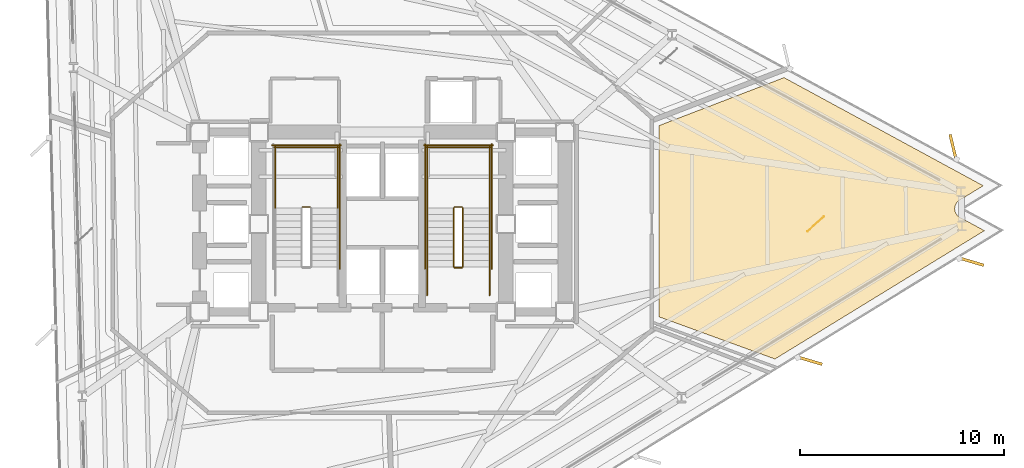
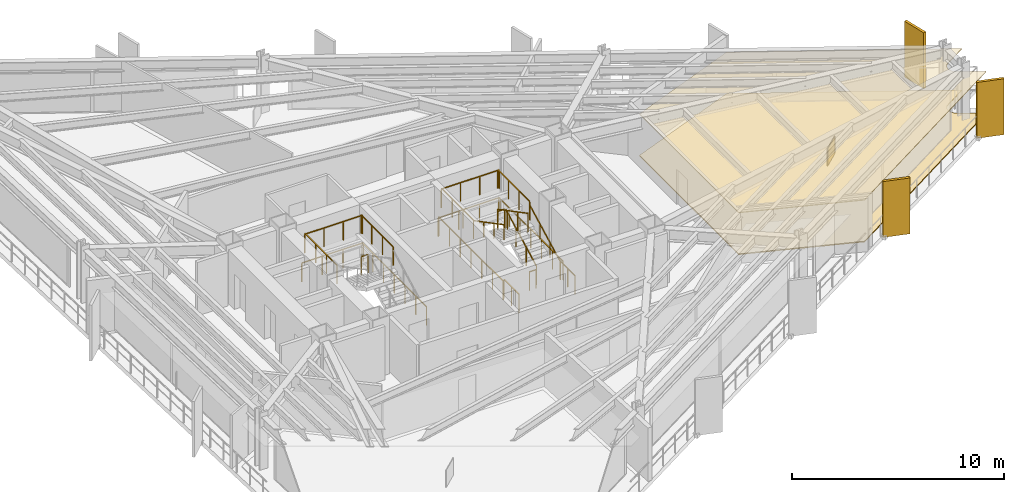
# One storey, part 13 of 14: 20 railings, 3 coverings, 3 shading devices.
"""IFC4 building model written with IfcOpenShell, lengths in metres."""

from ifc_helpers import new_model, si_unit, direction, frame, origin, origin_2d, place, context, subcontext, project, spatial, polyline, rectangle, outline, extrude, material, layer, layer_set, type_object, element, save


model = new_model("IFC4")

# Units and contexts
model_context = context("Model", 3, precision=1e-05, world=origin(), true_north=direction((0.0, 1.0)))
body_context = subcontext(model_context, "Body", "Model", "MODEL_VIEW")
ifc_project = project(units=[si_unit("LENGTHUNIT", "METRE"), si_unit("AREAUNIT", "SQUARE_METRE"), si_unit("VOLUMEUNIT", "CUBIC_METRE"), si_unit("PLANEANGLEUNIT", "RADIAN"), si_unit("MASSUNIT", "GRAM", prefix="KILO")], contexts=[model_context])

# Site, building, storey
site_placement = place(None, origin())
site = spatial("IfcSite", under=ifc_project, at=site_placement, CompositionType="ELEMENT")
building_placement = place(site_placement, origin())
building = spatial("IfcBuilding", under=site, at=building_placement, Name="Rocaltana Carrier Exchange", CompositionType="ELEMENT")
storey_placement = place(building_placement, frame((0.0, 0.0, 25.60009765625)))
storey = spatial("IfcBuildingStorey", under=building, at=storey_placement, Name="L08", CompositionType="ELEMENT", Elevation=25.60009765625)

# Coverings
ifc_material_1 = material(Name="Calcium Sulphate & Aluminium Pedestal", Category="aluminium")
ifc_layer_1 = layer(ifc_material_1, 0.06005859375)
ifc_layer_set_1 = layer_set([ifc_layer_1], Name="Calcium Sulphate & Aluminium Pedestal")
covering_type_1 = type_object("IfcCoveringType", Name="Anti-Static Raised Exchange Access Floor 60", PredefinedType="FLOORING", material=ifc_layer_set_1)
covering_1_placement = place(storey_placement, origin())
element("IfcCovering", 1, at=covering_1_placement, inside=storey, type_object=covering_type_1, Name="L08 Optical Switching Laboratory Finish Floor", PredefinedType="FLOORING", context=body_context, shape_type="SweptSolid", body=[
    extrude(outline(polyline([(29.427490234375, 1.87109375), (28.260498046875, 1.156005859375), (28.248779296875, 1.148193359375), (28.232421875, 1.136962890625), (28.210205078125, 1.1201171875), (28.19482421875, 1.107421875), (28.17431640625, 1.08837890625), (28.160400390625, 1.073974609375), (28.14208984375, 1.052978515625), (28.129638671875, 1.03759765625), (28.11328125, 1.014892578125), (28.1025390625, 0.998046875), (28.088623046875, 0.973876953125), (28.07958984375, 0.9560546875), (28.068115234375, 0.9306640625), (28.060791015625, 0.912109375), (28.052001953125, 0.885498046875), (28.046630859375, 0.866455078125), (28.04052734375, 0.839111328125), (28.037109375, 0.819580078125), (28.03369140625, 0.791748046875), (28.031982421875, 0.77197265625), (28.031494140625, 0.743896484375), (28.031982421875, 0.72412109375), (28.0341796875, 0.6962890625), (28.03662109375, 0.676513671875), (28.04150390625, 0.64892578125), (28.0458984375, 0.629638671875), (28.053466796875, 0.602783203125), (28.059814453125, 0.583740234375), (28.070068359375, 0.557861328125), (28.078369140625, 0.539794921875), (28.091064453125, 0.514892578125), (28.10107421875, 0.49755859375), (28.1162109375, 0.47412109375), (28.1279296875, 0.4580078125), (28.1455078125, 0.436279296875), (28.15869140625, 0.421142578125), (28.177978515625, 0.4013671875), (28.192626953125, 0.3876953125), (28.214111328125, 0.369873046875), (28.22998046875, 0.35791015625), (28.253173828125, 0.342041015625), (28.270263671875, 0.331787109375), (28.2822265625, 0.32470703125), (29.485107421875, -0.328369140625), (19.2265625, -6.61474609375), (13.56005859375, -4.55224609375), (13.56005859375, 4.819580078125), (19.674072265625, 7.16650390625), (29.427490234375, 1.87109375)])), origin(), (0.0, 0.0, 1.0), 0.059814453125),
])
ifc_material_2 = material(Name="Mineral Fibre & Powder-Coated Aluminium", Category="aluminium")
ifc_layer_2 = layer(ifc_material_2, 0.044921875)
ifc_layer_set_2 = layer_set([ifc_layer_2], Name="Mineral Fibre & Powder-Coated Aluminium")
covering_type_2 = type_object("IfcCoveringType", Name="Micro-Perforated Acoustic Ceiling 45", PredefinedType="CEILING", material=ifc_layer_set_2)
covering_2_placement = place(storey_placement, frame((0.0, 0.0, 2.40283203125)))
element("IfcCovering", 2, at=covering_2_placement, inside=storey, type_object=covering_type_2, Name="L08 Optical Switching Laboratory Acoustic Ceiling", PredefinedType="CEILING", context=body_context, shape_type="SweptSolid", body=[
    extrude(outline(polyline([(29.427490234375, 1.87109375), (28.260498046875, 1.156005859375), (28.248779296875, 1.148193359375), (28.232421875, 1.136962890625), (28.210205078125, 1.1201171875), (28.19482421875, 1.107421875), (28.17431640625, 1.08837890625), (28.160400390625, 1.073974609375), (28.14208984375, 1.052978515625), (28.129638671875, 1.03759765625), (28.11328125, 1.014892578125), (28.1025390625, 0.998046875), (28.088623046875, 0.973876953125), (28.07958984375, 0.9560546875), (28.068115234375, 0.9306640625), (28.060791015625, 0.912109375), (28.052001953125, 0.885498046875), (28.046630859375, 0.866455078125), (28.04052734375, 0.839111328125), (28.037109375, 0.819580078125), (28.03369140625, 0.791748046875), (28.031982421875, 0.77197265625), (28.031494140625, 0.743896484375), (28.031982421875, 0.72412109375), (28.0341796875, 0.6962890625), (28.03662109375, 0.676513671875), (28.04150390625, 0.64892578125), (28.0458984375, 0.629638671875), (28.053466796875, 0.602783203125), (28.059814453125, 0.583740234375), (28.070068359375, 0.557861328125), (28.078369140625, 0.539794921875), (28.091064453125, 0.514892578125), (28.10107421875, 0.49755859375), (28.1162109375, 0.47412109375), (28.1279296875, 0.4580078125), (28.1455078125, 0.436279296875), (28.15869140625, 0.421142578125), (28.177978515625, 0.4013671875), (28.192626953125, 0.3876953125), (28.214111328125, 0.369873046875), (28.22998046875, 0.35791015625), (28.253173828125, 0.342041015625), (28.270263671875, 0.331787109375), (28.2822265625, 0.32470703125), (29.485107421875, -0.328369140625), (19.2265625, -6.61474609375), (13.56005859375, -4.55224609375), (13.56005859375, 4.819580078125), (19.674072265625, 7.16650390625), (29.427490234375, 1.87109375)])), origin(), (0.0, 0.0, 1.0), 0.045166015625),
])

# Railings
ifc_material_3 = material(Name="Brushed Architectural Stainless Tube", Category="steel")
ifc_layer_3 = layer(ifc_material_3, 0.048095703125)
ifc_layer_set_3 = layer_set([ifc_layer_3], Name="Brushed Architectural Stainless Tube")
railing_type_1 = type_object("IfcRailingType", Name="Stair Wall Handrail 920", PredefinedType="HANDRAIL", material=ifc_layer_set_3)
railing_1_placement = place(storey_placement, frame((5.25, -2.10009765625, 0.16796875)))
element("IfcRailing", 3, at=railing_1_placement, inside=storey, type_object=railing_type_1, Name="L08 ST-2 stair handrail 1", PredefinedType="HANDRAIL", context=body_context, shape_type="SweptSolid", body=[
    extrude(rectangle(XDim=0.048095703125, YDim=0.048095703125, at=origin_2d()), frame((0.0, 0.0, 0.8759765625), z_axis=(0.0, 0.885411030485, 0.464808893091), x_axis=(-1.0, 0.0, 0.0)), (0.0, 0.0, 1.0), 3.2529296875),
    extrude(rectangle(XDim=0.0419921875, YDim=0.0419921875, at=origin_2d()), origin(), (0.0, 0.0, 1.0), 0.851806640625),
    extrude(rectangle(XDim=0.0419921875, YDim=0.0419921875, at=origin_2d()), frame((0.0, 0.9599609375, 0.50390625)), (0.0, 0.0, 1.0), 0.851806640625),
    extrude(rectangle(XDim=0.0419921875, YDim=0.0419921875, at=origin_2d()), frame((0.0, 1.920166015625, 1.008056640625)), (0.0, 0.0, 1.0), 0.851806640625),
    extrude(rectangle(XDim=0.0419921875, YDim=0.0419921875, at=origin_2d()), frame((0.0, 2.880126953125, 1.511962890625)), (0.0, 0.0, 1.0), 0.851806640625),
])
railing_2_placement = place(storey_placement, frame((2.18994140625, 0.780029296875, 1.847900390625)))
element("IfcRailing", 4, at=railing_2_placement, inside=storey, type_object=railing_type_1, Name="L08 ST-2 stair handrail 2", PredefinedType="HANDRAIL", context=body_context, shape_type="SweptSolid", body=[
    extrude(rectangle(XDim=0.048095703125, YDim=0.048095703125, at=origin_2d()), frame((0.0, 0.0, 0.8759765625), z_axis=(0.0, -0.885411030485, 0.464808893091), x_axis=(1.0, 0.0, 0.0)), (0.0, 0.0, 1.0), 3.2529296875),
    extrude(rectangle(XDim=0.0419921875, YDim=0.0419921875, at=origin_2d()), origin(), (0.0, 0.0, 1.0), 0.851806640625),
    extrude(rectangle(XDim=0.0419921875, YDim=0.0419921875, at=origin_2d()), frame((0.0, -0.9599609375, 0.50390625)), (0.0, 0.0, 1.0), 0.851806640625),
    extrude(rectangle(XDim=0.0419921875, YDim=0.0419921875, at=origin_2d()), frame((0.0, -1.920166015625, 1.008056640625)), (0.0, 0.0, 1.0), 0.851806640625),
    extrude(rectangle(XDim=0.0419921875, YDim=0.0419921875, at=origin_2d()), frame((0.0, -2.880126953125, 1.511962890625)), (0.0, 0.0, 1.0), 0.851806640625),
])
ifc_material_4 = material(Name="Powder-Coated Aluminium 6063-T6", Category="aluminium")
ifc_layer_4 = layer(ifc_material_4, 0.048095703125)
ifc_layer_set_4 = layer_set([ifc_layer_4], Name="Powder-Coated Aluminium 6063-T6")
railing_type_2 = type_object("IfcRailingType", Name="Stair Well Guardrail 1100", PredefinedType="GUARDRAIL", material=ifc_layer_set_4)
railing_3_placement = place(storey_placement, frame((-3.5400390625, 0.830078125, 1.679931640625)))
element("IfcRailing", 5, at=railing_3_placement, inside=storey, type_object=railing_type_2, Name="L08 ST-1 stair guard 2", PredefinedType="GUARDRAIL", context=body_context, shape_type="SweptSolid", body=[
    extrude(rectangle(XDim=0.048095703125, YDim=0.048095703125, at=origin_2d()), frame((0.0, 0.0, 1.076171875), z_axis=(-1.0, 0.0, 0.0), x_axis=(0.0, -1.0, 0.0)), (0.0, 0.0, 1.0), 0.35986328125),
    extrude(rectangle(XDim=0.0419921875, YDim=0.0419921875, at=origin_2d()), origin(), (0.0, 0.0, 1.0), 1.052001953125),
    extrude(rectangle(XDim=0.0419921875, YDim=0.0419921875, at=origin_2d()), frame((-0.35986328125, 0.0, 0.0)), (0.0, 0.0, 1.0), 1.052001953125),
])
for number, where, name in (
    (6, (-2.18994140625, 0.780029296875, 1.679931640625), "L08 ST-1 stair guard 3"),
    (7, (-5.25, 0.780029296875, 1.679931640625), "L08 ST-1 stair guard 4"),
):
    element("IfcRailing", number, at=place(storey_placement, frame(where)), inside=storey, type_object=railing_type_2, Name=name, PredefinedType="GUARDRAIL", context=body_context, shape_type="SweptSolid", body=[
        extrude(rectangle(XDim=0.048095703125, YDim=0.048095703125, at=origin_2d()), frame((0.0, 0.0, 1.076171875), z_axis=(0.0, 1.0, 0.0), x_axis=(-1.0, 0.0, 0.0)), (0.0, 0.0, 1.0), 3.02001953125),
        extrude(rectangle(XDim=0.0419921875, YDim=0.0419921875, at=origin_2d()), origin(), (0.0, 0.0, 1.0), 1.052001953125),
        extrude(rectangle(XDim=0.0419921875, YDim=0.0419921875, at=origin_2d()), frame((0.0, 1.006591796875, 0.0)), (0.0, 0.0, 1.0), 1.052001953125),
        extrude(rectangle(XDim=0.0419921875, YDim=0.0419921875, at=origin_2d()), frame((0.0, 2.013427734375, 0.0)), (0.0, 0.0, 1.0), 1.052001953125),
        extrude(rectangle(XDim=0.0419921875, YDim=0.0419921875, at=origin_2d()), frame((0.0, 3.02001953125, 0.0)), (0.0, 0.0, 1.0), 1.052001953125),
    ])
railing_4_placement = place(storey_placement, frame((-2.139892578125, 3.75, 1.679931640625)))
element("IfcRailing", 8, at=railing_4_placement, inside=storey, type_object=railing_type_2, Name="L08 ST-1 stair guard 5", PredefinedType="GUARDRAIL", context=body_context, shape_type="SweptSolid", body=[
    extrude(rectangle(XDim=0.048095703125, YDim=0.048095703125, at=origin_2d()), frame((0.0, 0.0, 1.076171875), z_axis=(-1.0, 0.0, 0.0), x_axis=(0.0, -1.0, 0.0)), (0.0, 0.0, 1.0), 3.16015625),
    extrude(rectangle(XDim=0.0419921875, YDim=0.0419921875, at=origin_2d()), origin(), (0.0, 0.0, 1.0), 1.052001953125),
    extrude(rectangle(XDim=0.0419921875, YDim=0.0419921875, at=origin_2d()), frame((-1.053466796875, 0.0, 0.0)), (0.0, 0.0, 1.0), 1.052001953125),
    extrude(rectangle(XDim=0.0419921875, YDim=0.0419921875, at=origin_2d()), frame((-2.106689453125, 0.0, 0.0)), (0.0, 0.0, 1.0), 1.052001953125),
    extrude(rectangle(XDim=0.0419921875, YDim=0.0419921875, at=origin_2d()), frame((-3.16015625, 0.0, 0.0)), (0.0, 0.0, 1.0), 1.052001953125),
])
railing_5_placement = place(storey_placement, frame((-2.090087890625, -2.199951171875, 0.0)))
element("IfcRailing", 9, at=railing_5_placement, inside=storey, type_object=railing_type_2, Name="L08 ST-1 stair guard 10", PredefinedType="GUARDRAIL", context=body_context, shape_type="SweptSolid", body=[
    extrude(rectangle(XDim=0.048095703125, YDim=0.048095703125, at=origin_2d()), frame((0.0, 0.0, 1.076171875), z_axis=(0.0, 1.0, 0.0), x_axis=(-1.0, 0.0, 0.0)), (0.0, 0.0, 1.0), 6.099853515625),
    extrude(rectangle(XDim=0.0419921875, YDim=0.0419921875, at=origin_2d()), origin(), (0.0, 0.0, 1.0), 1.052001953125),
    extrude(rectangle(XDim=0.0419921875, YDim=0.0419921875, at=origin_2d()), frame((0.0, 1.0166015625, 0.0)), (0.0, 0.0, 1.0), 1.052001953125),
    extrude(rectangle(XDim=0.0419921875, YDim=0.0419921875, at=origin_2d()), frame((0.0, 2.033203125, 0.0)), (0.0, 0.0, 1.0), 1.052001953125),
    extrude(rectangle(XDim=0.0419921875, YDim=0.0419921875, at=origin_2d()), frame((0.0, 3.0498046875, 0.0)), (0.0, 0.0, 1.0), 1.052001953125),
    extrude(rectangle(XDim=0.0419921875, YDim=0.0419921875, at=origin_2d()), frame((0.0, 4.066650390625, 0.0)), (0.0, 0.0, 1.0), 1.052001953125),
    extrude(rectangle(XDim=0.0419921875, YDim=0.0419921875, at=origin_2d()), frame((0.0, 5.083251953125, 0.0)), (0.0, 0.0, 1.0), 1.052001953125),
    extrude(rectangle(XDim=0.0419921875, YDim=0.0419921875, at=origin_2d()), frame((0.0, 6.099853515625, 0.0)), (0.0, 0.0, 1.0), 1.052001953125),
])
railing_6_placement = place(storey_placement, frame((-2.0400390625, 3.85009765625, 0.0)))
element("IfcRailing", 10, at=railing_6_placement, inside=storey, type_object=railing_type_2, Name="L08 ST-1 stair guard 12", PredefinedType="GUARDRAIL", context=body_context, shape_type="SweptSolid", body=[
    extrude(rectangle(XDim=0.048095703125, YDim=0.048095703125, at=origin_2d()), frame((0.0, 0.0, 1.076171875), z_axis=(-1.0, 0.0, 0.0), x_axis=(0.0, -1.0, 0.0)), (0.0, 0.0, 1.0), 3.35986328125),
    extrude(rectangle(XDim=0.0419921875, YDim=0.0419921875, at=origin_2d()), origin(), (0.0, 0.0, 1.0), 1.052001953125),
    extrude(rectangle(XDim=0.0419921875, YDim=0.0419921875, at=origin_2d()), frame((-1.119873046875, 0.0, 0.0)), (0.0, 0.0, 1.0), 1.052001953125),
    extrude(rectangle(XDim=0.0419921875, YDim=0.0419921875, at=origin_2d()), frame((-2.239990234375, 0.0, 0.0)), (0.0, 0.0, 1.0), 1.052001953125),
    extrude(rectangle(XDim=0.0419921875, YDim=0.0419921875, at=origin_2d()), frame((-3.35986328125, 0.0, 0.0)), (0.0, 0.0, 1.0), 1.052001953125),
])
railing_7_placement = place(storey_placement, frame((3.949951171875, -2.10009765625, 0.16796875)))
element("IfcRailing", 11, at=railing_7_placement, inside=storey, type_object=railing_type_2, Name="L08 ST-2 stair guard 1", PredefinedType="GUARDRAIL", context=body_context, shape_type="SweptSolid", body=[
    extrude(rectangle(XDim=0.048095703125, YDim=0.048095703125, at=origin_2d()), frame((0.0, 0.0, 1.076171875), z_axis=(0.0, 0.885411030485, 0.464808893091), x_axis=(-1.0, 0.0, 0.0)), (0.0, 0.0, 1.0), 3.2529296875),
    extrude(rectangle(XDim=0.0419921875, YDim=0.0419921875, at=origin_2d()), origin(), (0.0, 0.0, 1.0), 1.052001953125),
    extrude(rectangle(XDim=0.0419921875, YDim=0.0419921875, at=origin_2d()), frame((0.0, 0.9599609375, 0.50390625)), (0.0, 0.0, 1.0), 1.052001953125),
    extrude(rectangle(XDim=0.0419921875, YDim=0.0419921875, at=origin_2d()), frame((0.0, 1.920166015625, 1.008056640625)), (0.0, 0.0, 1.0), 1.052001953125),
    extrude(rectangle(XDim=0.0419921875, YDim=0.0419921875, at=origin_2d()), frame((0.0, 2.880126953125, 1.511962890625)), (0.0, 0.0, 1.0), 1.052001953125),
])
railing_8_placement = place(storey_placement, frame((3.89990234375, 0.830078125, 1.679931640625)))
element("IfcRailing", 12, at=railing_8_placement, inside=storey, type_object=railing_type_2, Name="L08 ST-2 stair guard 2", PredefinedType="GUARDRAIL", context=body_context, shape_type="SweptSolid", body=[
    extrude(rectangle(XDim=0.048095703125, YDim=0.048095703125, at=origin_2d()), frame((0.0, 0.0, 1.076171875), z_axis=(-1.0, 0.0, 0.0), x_axis=(0.0, -1.0, 0.0)), (0.0, 0.0, 1.0), 0.35986328125),
    extrude(rectangle(XDim=0.0419921875, YDim=0.0419921875, at=origin_2d()), origin(), (0.0, 0.0, 1.0), 1.052001953125),
    extrude(rectangle(XDim=0.0419921875, YDim=0.0419921875, at=origin_2d()), frame((-0.35986328125, 0.0, 0.0)), (0.0, 0.0, 1.0), 1.052001953125),
])
for number, where, name in (
    (13, (5.25, 0.780029296875, 1.679931640625), "L08 ST-2 stair guard 3"),
    (14, (2.18994140625, 0.780029296875, 1.679931640625), "L08 ST-2 stair guard 4"),
):
    element("IfcRailing", number, at=place(storey_placement, frame(where)), inside=storey, type_object=railing_type_2, Name=name, PredefinedType="GUARDRAIL", context=body_context, shape_type="SweptSolid", body=[
        extrude(rectangle(XDim=0.048095703125, YDim=0.048095703125, at=origin_2d()), frame((0.0, 0.0, 1.076171875), z_axis=(0.0, 1.0, 0.0), x_axis=(-1.0, 0.0, 0.0)), (0.0, 0.0, 1.0), 3.02001953125),
        extrude(rectangle(XDim=0.0419921875, YDim=0.0419921875, at=origin_2d()), origin(), (0.0, 0.0, 1.0), 1.052001953125),
        extrude(rectangle(XDim=0.0419921875, YDim=0.0419921875, at=origin_2d()), frame((0.0, 1.006591796875, 0.0)), (0.0, 0.0, 1.0), 1.052001953125),
        extrude(rectangle(XDim=0.0419921875, YDim=0.0419921875, at=origin_2d()), frame((0.0, 2.013427734375, 0.0)), (0.0, 0.0, 1.0), 1.052001953125),
        extrude(rectangle(XDim=0.0419921875, YDim=0.0419921875, at=origin_2d()), frame((0.0, 3.02001953125, 0.0)), (0.0, 0.0, 1.0), 1.052001953125),
    ])
railing_9_placement = place(storey_placement, frame((5.300048828125, 3.75, 1.679931640625)))
element("IfcRailing", 15, at=railing_9_placement, inside=storey, type_object=railing_type_2, Name="L08 ST-2 stair guard 5", PredefinedType="GUARDRAIL", context=body_context, shape_type="SweptSolid", body=[
    extrude(rectangle(XDim=0.048095703125, YDim=0.048095703125, at=origin_2d()), frame((0.0, 0.0, 1.076171875), z_axis=(-1.0, 0.0, 0.0), x_axis=(0.0, -1.0, 0.0)), (0.0, 0.0, 1.0), 3.16015625),
    extrude(rectangle(XDim=0.0419921875, YDim=0.0419921875, at=origin_2d()), origin(), (0.0, 0.0, 1.0), 1.052001953125),
    extrude(rectangle(XDim=0.0419921875, YDim=0.0419921875, at=origin_2d()), frame((-1.053466796875, 0.0, 0.0)), (0.0, 0.0, 1.0), 1.052001953125),
    extrude(rectangle(XDim=0.0419921875, YDim=0.0419921875, at=origin_2d()), frame((-2.106689453125, 0.0, 0.0)), (0.0, 0.0, 1.0), 1.052001953125),
    extrude(rectangle(XDim=0.0419921875, YDim=0.0419921875, at=origin_2d()), frame((-3.16015625, 0.0, 0.0)), (0.0, 0.0, 1.0), 1.052001953125),
])
railing_10_placement = place(storey_placement, frame((3.489990234375, 0.780029296875, 1.847900390625)))
element("IfcRailing", 16, at=railing_10_placement, inside=storey, type_object=railing_type_2, Name="L08 ST-2 stair guard 6", PredefinedType="GUARDRAIL", context=body_context, shape_type="SweptSolid", body=[
    extrude(rectangle(XDim=0.048095703125, YDim=0.048095703125, at=origin_2d()), frame((0.0, 0.0, 1.076171875), z_axis=(0.0, -0.885411030485, 0.464808893091), x_axis=(1.0, 0.0, 0.0)), (0.0, 0.0, 1.0), 3.2529296875),
    extrude(rectangle(XDim=0.0419921875, YDim=0.0419921875, at=origin_2d()), origin(), (0.0, 0.0, 1.0), 1.052001953125),
    extrude(rectangle(XDim=0.0419921875, YDim=0.0419921875, at=origin_2d()), frame((0.0, -0.9599609375, 0.50390625)), (0.0, 0.0, 1.0), 1.052001953125),
    extrude(rectangle(XDim=0.0419921875, YDim=0.0419921875, at=origin_2d()), frame((0.0, -1.920166015625, 1.008056640625)), (0.0, 0.0, 1.0), 1.052001953125),
    extrude(rectangle(XDim=0.0419921875, YDim=0.0419921875, at=origin_2d()), frame((0.0, -2.880126953125, 1.511962890625)), (0.0, 0.0, 1.0), 1.052001953125),
])
railing_11_placement = place(storey_placement, frame((3.89990234375, -2.14990234375, 0.0)))
element("IfcRailing", 17, at=railing_11_placement, inside=storey, type_object=railing_type_2, Name="L08 ST-2 stair guard 7", PredefinedType="GUARDRAIL", context=body_context, shape_type="SweptSolid", body=[
    extrude(rectangle(XDim=0.048095703125, YDim=0.048095703125, at=origin_2d()), frame((0.0, 0.0, 1.076171875), z_axis=(-1.0, 0.0, 0.0), x_axis=(0.0, -1.0, 0.0)), (0.0, 0.0, 1.0), 0.35986328125),
    extrude(rectangle(XDim=0.0419921875, YDim=0.0419921875, at=origin_2d()), origin(), (0.0, 0.0, 1.0), 1.052001953125),
    extrude(rectangle(XDim=0.0419921875, YDim=0.0419921875, at=origin_2d()), frame((-0.35986328125, 0.0, 0.0)), (0.0, 0.0, 1.0), 1.052001953125),
])
for number, where, name in (
    (18, (5.25, -3.5, 0.0), "L08 ST-2 stair guard 8"),
    (19, (2.18994140625, -3.5, 0.0), "L08 ST-2 stair guard 9"),
):
    element("IfcRailing", number, at=place(storey_placement, frame(where)), inside=storey, type_object=railing_type_2, Name=name, PredefinedType="GUARDRAIL", context=body_context, shape_type="SweptSolid", body=[
        extrude(rectangle(XDim=0.048095703125, YDim=0.048095703125, at=origin_2d()), frame((0.0, 0.0, 1.076171875), z_axis=(0.0, 1.0, 0.0), x_axis=(-1.0, 0.0, 0.0)), (0.0, 0.0, 1.0), 1.39990234375),
        extrude(rectangle(XDim=0.0419921875, YDim=0.0419921875, at=origin_2d()), origin(), (0.0, 0.0, 1.0), 1.052001953125),
        extrude(rectangle(XDim=0.0419921875, YDim=0.0419921875, at=origin_2d()), frame((0.0, 0.699951171875, 0.0)), (0.0, 0.0, 1.0), 1.052001953125),
        extrude(rectangle(XDim=0.0419921875, YDim=0.0419921875, at=origin_2d()), frame((0.0, 1.39990234375, 0.0)), (0.0, 0.0, 1.0), 1.052001953125),
    ])
for number, where, name in (
    (20, (5.35009765625, -2.199951171875, 0.0), "L08 ST-2 stair guard 10"),
    (21, (2.090087890625, -2.199951171875, 0.0), "L08 ST-2 stair guard 11"),
):
    element("IfcRailing", number, at=place(storey_placement, frame(where)), inside=storey, type_object=railing_type_2, Name=name, PredefinedType="GUARDRAIL", context=body_context, shape_type="SweptSolid", body=[
        extrude(rectangle(XDim=0.048095703125, YDim=0.048095703125, at=origin_2d()), frame((0.0, 0.0, 1.076171875), z_axis=(0.0, 1.0, 0.0), x_axis=(-1.0, 0.0, 0.0)), (0.0, 0.0, 1.0), 6.099853515625),
        extrude(rectangle(XDim=0.0419921875, YDim=0.0419921875, at=origin_2d()), origin(), (0.0, 0.0, 1.0), 1.052001953125),
        extrude(rectangle(XDim=0.0419921875, YDim=0.0419921875, at=origin_2d()), frame((0.0, 1.0166015625, 0.0)), (0.0, 0.0, 1.0), 1.052001953125),
        extrude(rectangle(XDim=0.0419921875, YDim=0.0419921875, at=origin_2d()), frame((0.0, 2.033203125, 0.0)), (0.0, 0.0, 1.0), 1.052001953125),
        extrude(rectangle(XDim=0.0419921875, YDim=0.0419921875, at=origin_2d()), frame((0.0, 3.0498046875, 0.0)), (0.0, 0.0, 1.0), 1.052001953125),
        extrude(rectangle(XDim=0.0419921875, YDim=0.0419921875, at=origin_2d()), frame((0.0, 4.066650390625, 0.0)), (0.0, 0.0, 1.0), 1.052001953125),
        extrude(rectangle(XDim=0.0419921875, YDim=0.0419921875, at=origin_2d()), frame((0.0, 5.083251953125, 0.0)), (0.0, 0.0, 1.0), 1.052001953125),
        extrude(rectangle(XDim=0.0419921875, YDim=0.0419921875, at=origin_2d()), frame((0.0, 6.099853515625, 0.0)), (0.0, 0.0, 1.0), 1.052001953125),
    ])
railing_12_placement = place(storey_placement, frame((5.39990234375, 3.85009765625, 0.0)))
element("IfcRailing", 22, at=railing_12_placement, inside=storey, type_object=railing_type_2, Name="L08 ST-2 stair guard 12", PredefinedType="GUARDRAIL", context=body_context, shape_type="SweptSolid", body=[
    extrude(rectangle(XDim=0.048095703125, YDim=0.048095703125, at=origin_2d()), frame((0.0, 0.0, 1.076171875), z_axis=(-1.0, 0.0, 0.0), x_axis=(0.0, -1.0, 0.0)), (0.0, 0.0, 1.0), 3.35986328125),
    extrude(rectangle(XDim=0.0419921875, YDim=0.0419921875, at=origin_2d()), origin(), (0.0, 0.0, 1.0), 1.052001953125),
    extrude(rectangle(XDim=0.0419921875, YDim=0.0419921875, at=origin_2d()), frame((-1.119873046875, 0.0, 0.0)), (0.0, 0.0, 1.0), 1.052001953125),
    extrude(rectangle(XDim=0.0419921875, YDim=0.0419921875, at=origin_2d()), frame((-2.239990234375, 0.0, 0.0)), (0.0, 0.0, 1.0), 1.052001953125),
    extrude(rectangle(XDim=0.0419921875, YDim=0.0419921875, at=origin_2d()), frame((-3.35986328125, 0.0, 0.0)), (0.0, 0.0, 1.0), 1.052001953125),
])

# Covering
ifc_material_5 = material(Name="Honed Piedra Muneca Sandstone", Category="masonry")
ifc_layer_5 = layer(ifc_material_5, 0.034912109375)
ifc_layer_set_5 = layer_set([ifc_layer_5], Name="Honed Piedra Muneca Sandstone")
covering_type_3 = type_object("IfcCoveringType", Name="Stone Facade Cladding 35", PredefinedType="CLADDING", material=ifc_layer_set_5)
covering_3_placement = place(storey_placement, frame((21.2216796875, -0.001708984375, 0.0), z_axis=(0.0, 0.0, 1.0), x_axis=(0.743144825477, 0.669130606359, 0.0)))
element("IfcCovering", 23, at=covering_3_placement, inside=storey, type_object=covering_type_3, Name="L08 Stone Facade Cladding Panel 4", PredefinedType="CLADDING", context=body_context, shape_type="SweptSolid", body=[
    extrude(rectangle(XDim=1.10009765625, YDim=0.034912109375, at=origin_2d()), origin(), (0.0, 0.0, 1.0), 1.050048828125),
])

# Shading devices
ifc_material_6 = material(Name="Honed Bogota Sandstone & Concrete C45/55", Category="masonry")
ifc_layer_6 = layer(ifc_material_6, 0.139892578125)
ifc_layer_set_6 = layer_set([ifc_layer_6], Name="Honed Bogota Sandstone & Concrete C45/55")
shading_device_type = type_object("IfcShadingDeviceType", Name="Vertical Sandstone Shading Fin 1320x140", PredefinedType="USERDEFINED", material=ifc_layer_set_6)
for number, where, z_axis, x_axis, name in (
    (24, (27.95751953125, 3.739501953125, -0.1201171875), (0.0, 0.0, 1.0), (-0.233445363856, 0.972369920398, 0.0), "L08 Sandstone Vertical Fin F1-01"),
    (25, (20.909912109375, -6.6865234375, -0.1201171875), (0.0, 0.0, 1.0), (0.958819734868, -0.284015344704, 0.0), "L08 Sandstone Vertical Fin F3-05"),
    (26, (28.822265625, -1.837646484375, -0.1201171875), (0.0, 0.0, 1.0), (0.958819734868, -0.284015344704, 0.0), "L08 Sandstone Vertical Fin F3-06"),
):
    element("IfcShadingDevice", number, at=place(storey_placement, frame(where, z_axis=z_axis, x_axis=x_axis)), inside=storey, type_object=shading_device_type, Name=name, ObjectType="FIN", PredefinedType="USERDEFINED", context=body_context, shape_type="SweptSolid", body=[
        extrude(rectangle(XDim=1.320068359375, YDim=0.139892578125, at=origin_2d()), origin(), (0.0, 0.0, 1.0), 3.218017578125),
    ])

save(model, "model.ifc")
